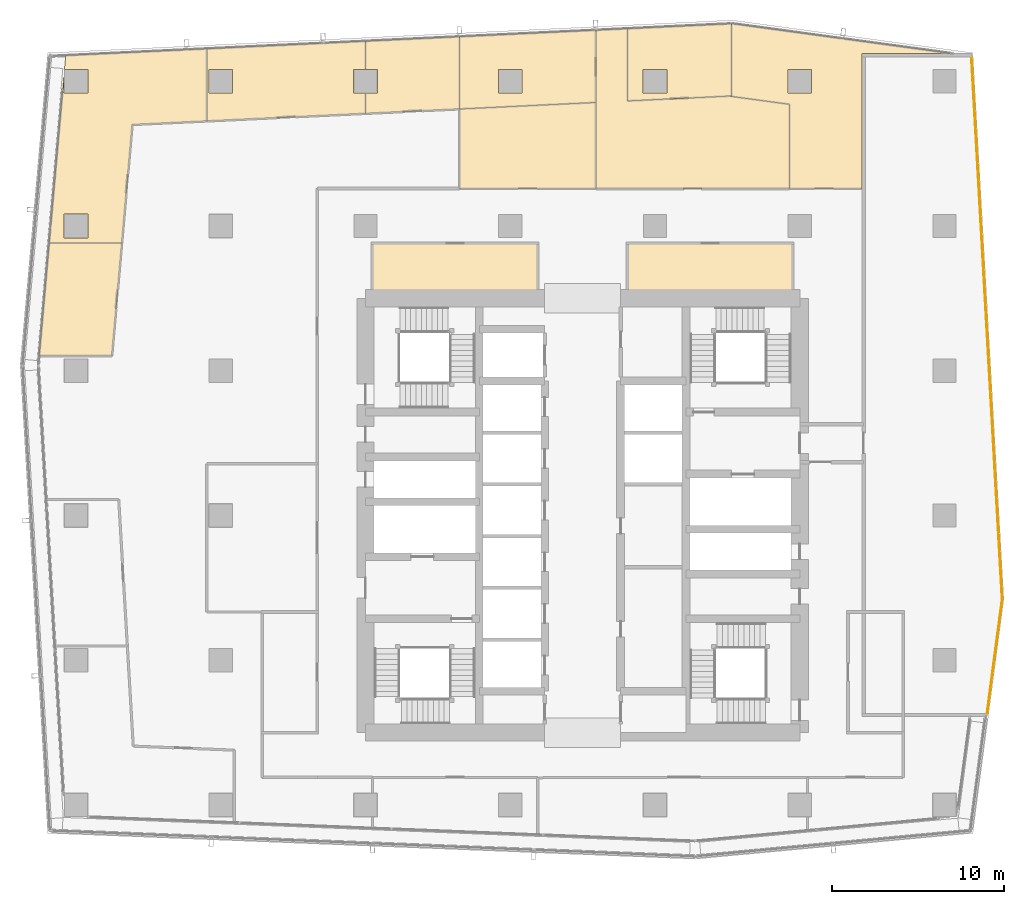
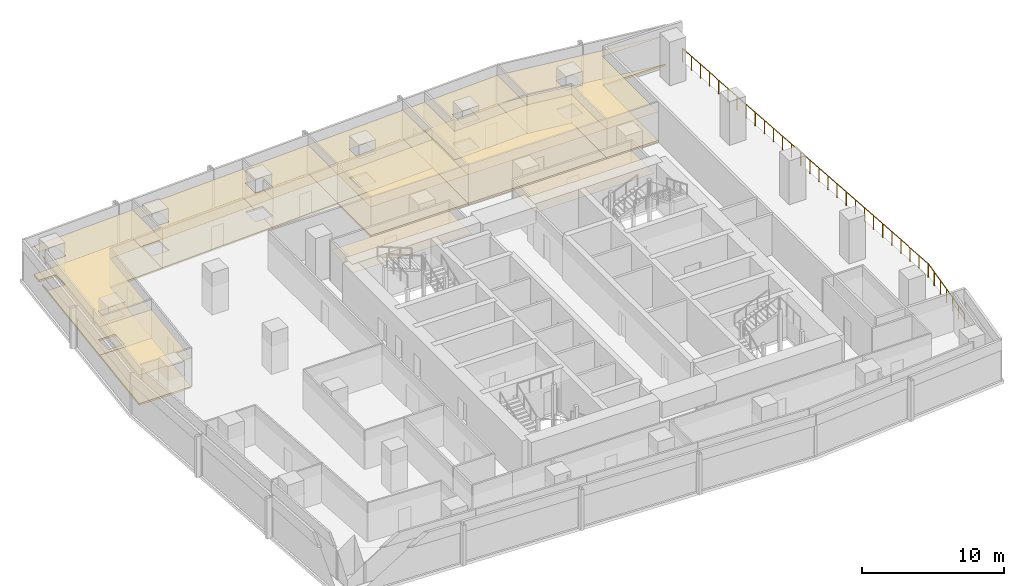
# One storey, part 33 of 33: 20 coverings, 1 railing.
"""IFC4 building model written with IfcOpenShell, lengths in metres."""

from ifc_helpers import new_model, si_unit, direction, frame, origin, origin_2d, place, context, subcontext, project, spatial, polyline, circle, outline, extrude, material, layer, layer_set, type_object, element, save


model = new_model("IFC4")

# Units and contexts
model_context = context("Model", 3, precision=1e-05, world=origin(), true_north=direction((0.0, 1.0)))
body_context = subcontext(model_context, "Body", "Model", "MODEL_VIEW")
ifc_project = project(units=[si_unit("LENGTHUNIT", "METRE"), si_unit("AREAUNIT", "SQUARE_METRE"), si_unit("VOLUMEUNIT", "CUBIC_METRE"), si_unit("PLANEANGLEUNIT", "RADIAN"), si_unit("MASSUNIT", "GRAM", prefix="KILO")], contexts=[model_context])

# Site, building, storey
site_placement = place(None, origin())
site = spatial("IfcSite", under=ifc_project, at=site_placement, CompositionType="ELEMENT")
building_placement = place(site_placement, origin())
building = spatial("IfcBuilding", under=site, at=building_placement, Name="Rekha Terrace Tower", CompositionType="ELEMENT")
storey_placement = place(building_placement, frame((0.0, 0.0, 206.449951171875)))
storey = spatial("IfcBuildingStorey", under=building, at=storey_placement, Name="L52", CompositionType="ELEMENT", Elevation=206.449951171875)

# Coverings
ifc_material_1 = material(Name="Mineral fibre tile in exposed grid", Category="finish")
ifc_layer_1 = layer(ifc_material_1, 0.02001953125)
ifc_layer_set_1 = layer_set([ifc_layer_1], Name="Mineral fibre tile in exposed grid")
covering_type_1 = type_object("IfcCoveringType", Name="CL1 600x1200 office grid ceiling", PredefinedType="CEILING", material=ifc_layer_set_1)
covering_1_placement = place(storey_placement, frame((0.0, 0.0, 2.580078125)))
element("IfcCovering", 1, at=covering_1_placement, inside=storey, type_object=covering_type_1, Name="Ceiling L52-03", PredefinedType="CEILING", context=body_context, shape_type="SweptSolid", body=[
    extrude(outline(polyline([(49.799072265625, 52.574951171875), (53.9990234375, 52.574951171875), (53.9990234375, 60.409912109375), (59.113037109375, 60.409912109375), (59.114013671875, 60.429931640625), (56.534912109375, 60.781005859375), (46.445068359375, 62.154052734375), (46.445068359375, 57.9150390625), (49.799072265625, 57.458984375), (49.799072265625, 52.574951171875)]), holes=[polyline([(51.090087890625, 58.110107421875), (49.7099609375, 58.110107421875), (49.7099609375, 59.489990234375), (51.090087890625, 59.489990234375), (51.090087890625, 58.110107421875)])]), origin(), (0.0, 0.0, 1.0), 0.02001953125),
])
covering_2_placement = place(storey_placement, frame((0.0, 0.0, 2.580078125)))
element("IfcCovering", 2, at=covering_2_placement, inside=storey, type_object=covering_type_1, Name="Ceiling L52-04", PredefinedType="CEILING", context=body_context, shape_type="SweptSolid", body=[
    extrude(outline(polyline([(46.444091796875, 62.14697265625), (40.402099609375, 61.85791015625), (40.402099609375, 57.654052734375), (46.444091796875, 57.943115234375), (46.444091796875, 62.14697265625)]), holes=[polyline([(42.68994140625, 59.489990234375), (42.68994140625, 58.110107421875), (41.31005859375, 58.110107421875), (41.31005859375, 59.489990234375), (42.68994140625, 59.489990234375)])]), origin(), (0.0, 0.0, 1.0), 0.02001953125),
])
covering_3_placement = place(storey_placement, frame((0.0, 0.0, 2.580078125)))
element("IfcCovering", 3, at=covering_3_placement, inside=storey, type_object=covering_type_1, Name="Ceiling L52-05", PredefinedType="CEILING", context=body_context, shape_type="SweptSolid", body=[
    extrude(outline(polyline([(25.889892578125, 58.110107421875), (25.197998046875, 58.110107421875), (25.197998046875, 56.927001953125), (30.660888671875, 57.18798828125), (30.660888671875, 61.39306640625), (25.197998046875, 61.132080078125), (25.197998046875, 59.489990234375), (25.889892578125, 59.489990234375), (25.889892578125, 58.110107421875)])), origin(), (0.0, 0.0, 1.0), 0.02001953125),
])
covering_4_placement = place(storey_placement, frame((0.0, 0.0, 2.580078125)))
element("IfcCovering", 4, at=covering_4_placement, inside=storey, type_object=covering_type_1, Name="Ceiling L52-06", PredefinedType="CEILING", context=body_context, shape_type="SweptSolid", body=[
    extrude(outline(polyline([(25.197021484375, 59.489990234375), (25.197021484375, 61.132080078125), (15.989990234375, 60.69091796875), (15.989990234375, 56.487060546875), (25.197021484375, 56.927001953125), (25.197021484375, 58.110107421875), (24.510009765625, 58.110107421875), (24.510009765625, 59.489990234375), (25.197021484375, 59.489990234375)]), holes=[polyline([(17.489990234375, 59.489990234375), (17.489990234375, 58.110107421875), (16.110107421875, 58.110107421875), (16.110107421875, 59.489990234375), (17.489990234375, 59.489990234375)])]), origin(), (0.0, 0.0, 1.0), 0.02001953125),
])
covering_5_placement = place(storey_placement, frame((0.0, 0.0, 2.580078125)))
element("IfcCovering", 5, at=covering_5_placement, inside=storey, type_object=covering_type_1, Name="Ceiling L52-07", PredefinedType="CEILING", context=body_context, shape_type="SweptSolid", body=[
    extrude(outline(polyline([(7.68701171875, 59.00390625), (6.839111328125, 49.402099609375), (11.054931640625, 49.402099609375), (11.662109375, 56.280029296875), (15.989013671875, 56.487060546875), (15.989013671875, 60.69091796875), (7.801025390625, 60.300048828125), (7.72900390625, 59.489990234375), (9.090087890625, 59.489990234375), (9.090087890625, 58.110107421875), (7.7099609375, 58.110107421875), (7.7099609375, 59.0029296875), (7.68701171875, 59.00390625)]), holes=[polyline([(9.090087890625, 49.7099609375), (7.7099609375, 49.7099609375), (7.7099609375, 51.090087890625), (9.090087890625, 51.090087890625), (9.090087890625, 49.7099609375)])]), origin(), (0.0, 0.0, 1.0), 0.02001953125),
])
covering_6_placement = place(storey_placement, frame((0.0, 0.0, 2.580078125)))
element("IfcCovering", 6, at=covering_6_placement, inside=storey, type_object=covering_type_1, Name="Ceiling L52-08", PredefinedType="CEILING", context=body_context, shape_type="SweptSolid", body=[
    extrude(outline(polyline([(11.054931640625, 49.40087890625), (6.839111328125, 49.40087890625), (6.261962890625, 42.87109375), (10.47900390625, 42.87109375), (11.054931640625, 49.40087890625)])), origin(), (0.0, 0.0, 1.0), 0.02001953125),
])
covering_7_placement = place(storey_placement, frame((0.0, 0.0, 2.580078125)))
element("IfcCovering", 7, at=covering_7_placement, inside=storey, type_object=covering_type_1, Name="Ceiling L52-O2c", PredefinedType="CEILING", context=body_context, shape_type="SweptSolid", body=[
    extrude(outline(polyline([(38.570068359375, 61.77099609375), (38.570068359375, 52.574951171875), (49.799072265625, 52.574951171875), (49.799072265625, 57.458984375), (46.444091796875, 57.9150390625), (46.294921875, 57.93505859375), (40.402099609375, 57.654052734375), (40.402099609375, 61.85791015625), (38.570068359375, 61.77099609375)])), origin(), (0.0, 0.0, 1.0), 0.02001953125),
])
covering_8_placement = place(storey_placement, frame((0.0, 0.0, 2.580078125)))
element("IfcCovering", 8, at=covering_8_placement, inside=storey, type_object=covering_type_1, Name="Ceiling L52-14", PredefinedType="CEILING", context=body_context, shape_type="SweptSolid", body=[
    extrude(outline(polyline([(30.660888671875, 57.18798828125), (38.570068359375, 57.56591796875), (38.570068359375, 61.77099609375), (30.660888671875, 61.39306640625), (30.660888671875, 57.18798828125)]), holes=[polyline([(34.2900390625, 58.110107421875), (32.909912109375, 58.110107421875), (32.909912109375, 59.489990234375), (34.2900390625, 59.489990234375), (34.2900390625, 58.110107421875)])]), origin(), (0.0, 0.0, 1.0), 0.02001953125),
])
covering_9_placement = place(storey_placement, frame((0.0, 0.0, 2.580078125)))
element("IfcCovering", 9, at=covering_9_placement, inside=storey, type_object=covering_type_1, Name="Ceiling L52-15", PredefinedType="CEILING", context=body_context, shape_type="SweptSolid", body=[
    extrude(outline(polyline([(30.660888671875, 52.574951171875), (38.570068359375, 52.574951171875), (38.570068359375, 57.56591796875), (30.660888671875, 57.18798828125), (30.660888671875, 52.574951171875)])), origin(), (0.0, 0.0, 1.0), 0.02001953125),
])
ifc_material_2 = material(Name="Fibre cement board", Category="finish")
ifc_layer_2 = layer(ifc_material_2, 0.014892578125)
ifc_layer_set_2 = layer_set([ifc_layer_2], Name="Fibre cement board")
covering_type_2 = type_object("IfcCoveringType", Name="CL2 moisture-resistant board ceiling", PredefinedType="CEILING", material=ifc_layer_set_2)
covering_10_placement = place(storey_placement, frame((0.0, 0.0, 2.5849609375)))
element("IfcCovering", 10, at=covering_10_placement, inside=storey, type_object=covering_type_2, Name="Ceiling L52-WCF", PredefinedType="CEILING", context=body_context, shape_type="SweptSolid", body=[
    extrude(outline(polyline([(50.0, 49.39990234375), (40.39990234375, 49.39990234375), (40.39990234375, 46.199951171875), (50.0, 46.199951171875), (50.0, 49.39990234375)])), origin(), (0.0, 0.0, 1.0), 0.01513671875),
])
covering_11_placement = place(storey_placement, frame((0.0, 0.0, 2.5849609375)))
element("IfcCovering", 11, at=covering_11_placement, inside=storey, type_object=covering_type_2, Name="Ceiling L52-WCF2", PredefinedType="CEILING", context=body_context, shape_type="SweptSolid", body=[
    extrude(outline(polyline([(35.199951171875, 49.39990234375), (25.60009765625, 49.39990234375), (25.60009765625, 46.199951171875), (35.199951171875, 46.199951171875), (35.199951171875, 49.39990234375)])), origin(), (0.0, 0.0, 1.0), 0.01513671875),
])

# Railing
ifc_material_3 = material(Name="Steel guard with vertical balusters", Category="steel")
railing_type = type_object("IfcRailingType", Name="GR2 refuge area guard 1200", PredefinedType="GUARDRAIL", material=ifc_material_3)
railing_placement = place(storey_placement, frame((61.27294921875, 22.1220703125, 0.0)))
element("IfcRailing", 12, at=railing_placement, inside=storey, type_object=railing_type, Name="Refuge area guard L52", PredefinedType="GUARDRAIL", context=body_context, shape_type="SweptSolid", body=[
    extrude(circle(Radius=0.02392578125, at=origin_2d()), frame((0.0, 0.0, 1.17578125), z_axis=(0.131287427246, 0.991344345547, 0.0), x_axis=(-0.991344345547, 0.131287427246, 0.0)), (0.0, 0.0, 1.0), 6.6796875),
    extrude(circle(Radius=0.02392578125, at=origin_2d()), frame((0.876953125, 6.621826171875, 1.17578125), z_axis=(-0.056666583532, 0.998393158185, 0.0), x_axis=(-0.998393158185, -0.056666583532, 0.0)), (0.0, 0.0, 1.0), 31.515625),
    extrude(circle(Radius=0.02099609375, at=origin_2d()), origin(), (0.0, 0.0, 1.0), 1.15185546875),
    extrude(circle(Radius=0.02099609375, at=origin_2d()), frame((0.146240234375, 1.103515625, 0.0)), (0.0, 0.0, 1.0), 1.15185546875),
    extrude(circle(Radius=0.02099609375, at=origin_2d()), frame((0.292236328125, 2.207275390625, 0.0)), (0.0, 0.0, 1.0), 1.15185546875),
    extrude(circle(Radius=0.02099609375, at=origin_2d()), frame((0.4384765625, 3.31103515625, 0.0)), (0.0, 0.0, 1.0), 1.15185546875),
    extrude(circle(Radius=0.02099609375, at=origin_2d()), frame((0.584716796875, 4.41455078125, 0.0)), (0.0, 0.0, 1.0), 1.15185546875),
    extrude(circle(Radius=0.02099609375, at=origin_2d()), frame((0.730712890625, 5.51806640625, 0.0)), (0.0, 0.0, 1.0), 1.15185546875),
    extrude(circle(Radius=0.02099609375, at=origin_2d()), frame((0.876953125, 6.621826171875, 0.0)), (0.0, 0.0, 1.0), 1.15185546875),
    extrude(circle(Radius=0.02099609375, at=origin_2d()), frame((0.810791015625, 7.787109375, 0.0)), (0.0, 0.0, 1.0), 1.15185546875),
    extrude(circle(Radius=0.02099609375, at=origin_2d()), frame((0.74462890625, 8.95263671875, 0.0)), (0.0, 0.0, 1.0), 1.15185546875),
    extrude(circle(Radius=0.02099609375, at=origin_2d()), frame((0.678466796875, 10.117919921875, 0.0)), (0.0, 0.0, 1.0), 1.15185546875),
    extrude(circle(Radius=0.02099609375, at=origin_2d()), frame((0.6123046875, 11.283203125, 0.0)), (0.0, 0.0, 1.0), 1.15185546875),
    extrude(circle(Radius=0.02099609375, at=origin_2d()), frame((0.546142578125, 12.44873046875, 0.0)), (0.0, 0.0, 1.0), 1.15185546875),
    extrude(circle(Radius=0.02099609375, at=origin_2d()), frame((0.47998046875, 13.614013671875, 0.0)), (0.0, 0.0, 1.0), 1.15185546875),
    extrude(circle(Radius=0.02099609375, at=origin_2d()), frame((0.4140625, 14.779541015625, 0.0)), (0.0, 0.0, 1.0), 1.15185546875),
    extrude(circle(Radius=0.02099609375, at=origin_2d()), frame((0.347900390625, 15.94482421875, 0.0)), (0.0, 0.0, 1.0), 1.15185546875),
    extrude(circle(Radius=0.02099609375, at=origin_2d()), frame((0.28173828125, 17.110107421875, 0.0)), (0.0, 0.0, 1.0), 1.15185546875),
    extrude(circle(Radius=0.02099609375, at=origin_2d()), frame((0.215576171875, 18.275634765625, 0.0)), (0.0, 0.0, 1.0), 1.15185546875),
    extrude(circle(Radius=0.02099609375, at=origin_2d()), frame((0.1494140625, 19.44091796875, 0.0)), (0.0, 0.0, 1.0), 1.15185546875),
    extrude(circle(Radius=0.02099609375, at=origin_2d()), frame((0.083251953125, 20.606201171875, 0.0)), (0.0, 0.0, 1.0), 1.15185546875),
    extrude(circle(Radius=0.02099609375, at=origin_2d()), frame((0.01708984375, 21.771728515625, 0.0)), (0.0, 0.0, 1.0), 1.15185546875),
    extrude(circle(Radius=0.02099609375, at=origin_2d()), frame((-0.049072265625, 22.93701171875, 0.0)), (0.0, 0.0, 1.0), 1.15185546875),
    extrude(circle(Radius=0.02099609375, at=origin_2d()), frame((-0.115234375, 24.1025390625, 0.0)), (0.0, 0.0, 1.0), 1.15185546875),
    extrude(circle(Radius=0.02099609375, at=origin_2d()), frame((-0.181396484375, 25.267822265625, 0.0)), (0.0, 0.0, 1.0), 1.15185546875),
    extrude(circle(Radius=0.02099609375, at=origin_2d()), frame((-0.24755859375, 26.43310546875, 0.0)), (0.0, 0.0, 1.0), 1.15185546875),
    extrude(circle(Radius=0.02099609375, at=origin_2d()), frame((-0.313720703125, 27.5986328125, 0.0)), (0.0, 0.0, 1.0), 1.15185546875),
    extrude(circle(Radius=0.02099609375, at=origin_2d()), frame((-0.3798828125, 28.763916015625, 0.0)), (0.0, 0.0, 1.0), 1.15185546875),
    extrude(circle(Radius=0.02099609375, at=origin_2d()), frame((-0.446044921875, 29.92919921875, 0.0)), (0.0, 0.0, 1.0), 1.15185546875),
    extrude(circle(Radius=0.02099609375, at=origin_2d()), frame((-0.511962890625, 31.0947265625, 0.0)), (0.0, 0.0, 1.0), 1.15185546875),
    extrude(circle(Radius=0.02099609375, at=origin_2d()), frame((-0.578125, 32.260009765625, 0.0)), (0.0, 0.0, 1.0), 1.15185546875),
    extrude(circle(Radius=0.02099609375, at=origin_2d()), frame((-0.644287109375, 33.425537109375, 0.0)), (0.0, 0.0, 1.0), 1.15185546875),
    extrude(circle(Radius=0.02099609375, at=origin_2d()), frame((-0.71044921875, 34.5908203125, 0.0)), (0.0, 0.0, 1.0), 1.15185546875),
    extrude(circle(Radius=0.02099609375, at=origin_2d()), frame((-0.776611328125, 35.756103515625, 0.0)), (0.0, 0.0, 1.0), 1.15185546875),
    extrude(circle(Radius=0.02099609375, at=origin_2d()), frame((-0.8427734375, 36.921630859375, 0.0)), (0.0, 0.0, 1.0), 1.15185546875),
    extrude(circle(Radius=0.02099609375, at=origin_2d()), frame((-0.908935546875, 38.0869140625, 0.0)), (0.0, 0.0, 1.0), 1.15185546875),
])

# Coverings
ifc_material_4 = material(Name="Calcium sulphate panels on steel pedestals", Category="steel")
ifc_layer_3 = layer(ifc_material_4, 0.14990234375)
ifc_layer_set_3 = layer_set([ifc_layer_3], Name="Calcium sulphate panels on steel pedestals")
covering_type_3 = type_object("IfcCoveringType", Name="RF1 150 raised access floor", PredefinedType="FLOORING", material=ifc_layer_set_3)
covering_12_placement = place(storey_placement, origin())
element("IfcCovering", 13, at=covering_12_placement, inside=storey, type_object=covering_type_3, Name="Raised floor L52-03", PredefinedType="FLOORING", context=body_context, shape_type="SweptSolid", body=[
    extrude(outline(polyline([(49.799072265625, 52.574951171875), (53.9990234375, 52.574951171875), (53.9990234375, 60.409912109375), (59.113037109375, 60.409912109375), (59.114013671875, 60.429931640625), (56.534912109375, 60.781005859375), (46.445068359375, 62.154052734375), (46.445068359375, 57.9150390625), (49.799072265625, 57.458984375), (49.799072265625, 52.574951171875)]), holes=[polyline([(51.090087890625, 58.110107421875), (49.7099609375, 58.110107421875), (49.7099609375, 59.489990234375), (51.090087890625, 59.489990234375), (51.090087890625, 58.110107421875)])]), origin(), (0.0, 0.0, 1.0), 0.150146484375),
])
covering_13_placement = place(storey_placement, origin())
element("IfcCovering", 14, at=covering_13_placement, inside=storey, type_object=covering_type_3, Name="Raised floor L52-04", PredefinedType="FLOORING", context=body_context, shape_type="SweptSolid", body=[
    extrude(outline(polyline([(46.444091796875, 62.14697265625), (40.402099609375, 61.85791015625), (40.402099609375, 57.654052734375), (46.444091796875, 57.943115234375), (46.444091796875, 62.14697265625)]), holes=[polyline([(42.68994140625, 59.489990234375), (42.68994140625, 58.110107421875), (41.31005859375, 58.110107421875), (41.31005859375, 59.489990234375), (42.68994140625, 59.489990234375)])]), origin(), (0.0, 0.0, 1.0), 0.150146484375),
])
covering_14_placement = place(storey_placement, origin())
element("IfcCovering", 15, at=covering_14_placement, inside=storey, type_object=covering_type_3, Name="Raised floor L52-05", PredefinedType="FLOORING", context=body_context, shape_type="SweptSolid", body=[
    extrude(outline(polyline([(25.889892578125, 58.110107421875), (25.197998046875, 58.110107421875), (25.197998046875, 56.927001953125), (30.660888671875, 57.18798828125), (30.660888671875, 61.39306640625), (25.197998046875, 61.132080078125), (25.197998046875, 59.489990234375), (25.889892578125, 59.489990234375), (25.889892578125, 58.110107421875)])), origin(), (0.0, 0.0, 1.0), 0.150146484375),
])
covering_15_placement = place(storey_placement, origin())
element("IfcCovering", 16, at=covering_15_placement, inside=storey, type_object=covering_type_3, Name="Raised floor L52-06", PredefinedType="FLOORING", context=body_context, shape_type="SweptSolid", body=[
    extrude(outline(polyline([(25.197021484375, 59.489990234375), (25.197021484375, 61.132080078125), (15.989990234375, 60.69091796875), (15.989990234375, 56.487060546875), (25.197021484375, 56.927001953125), (25.197021484375, 58.110107421875), (24.510009765625, 58.110107421875), (24.510009765625, 59.489990234375), (25.197021484375, 59.489990234375)]), holes=[polyline([(17.489990234375, 59.489990234375), (17.489990234375, 58.110107421875), (16.110107421875, 58.110107421875), (16.110107421875, 59.489990234375), (17.489990234375, 59.489990234375)])]), origin(), (0.0, 0.0, 1.0), 0.150146484375),
])
covering_16_placement = place(storey_placement, origin())
element("IfcCovering", 17, at=covering_16_placement, inside=storey, type_object=covering_type_3, Name="Raised floor L52-07", PredefinedType="FLOORING", context=body_context, shape_type="SweptSolid", body=[
    extrude(outline(polyline([(7.68701171875, 59.00390625), (6.839111328125, 49.402099609375), (11.054931640625, 49.402099609375), (11.662109375, 56.280029296875), (15.989013671875, 56.487060546875), (15.989013671875, 60.69091796875), (7.801025390625, 60.300048828125), (7.72900390625, 59.489990234375), (9.090087890625, 59.489990234375), (9.090087890625, 58.110107421875), (7.7099609375, 58.110107421875), (7.7099609375, 59.0029296875), (7.68701171875, 59.00390625)]), holes=[polyline([(9.090087890625, 49.7099609375), (7.7099609375, 49.7099609375), (7.7099609375, 51.090087890625), (9.090087890625, 51.090087890625), (9.090087890625, 49.7099609375)])]), origin(), (0.0, 0.0, 1.0), 0.150146484375),
])
covering_17_placement = place(storey_placement, origin())
element("IfcCovering", 18, at=covering_17_placement, inside=storey, type_object=covering_type_3, Name="Raised floor L52-08", PredefinedType="FLOORING", context=body_context, shape_type="SweptSolid", body=[
    extrude(outline(polyline([(11.054931640625, 49.40087890625), (6.839111328125, 49.40087890625), (6.261962890625, 42.87109375), (10.47900390625, 42.87109375), (11.054931640625, 49.40087890625)])), origin(), (0.0, 0.0, 1.0), 0.150146484375),
])
covering_18_placement = place(storey_placement, origin())
element("IfcCovering", 19, at=covering_18_placement, inside=storey, type_object=covering_type_3, Name="Raised floor L52-O2c", PredefinedType="FLOORING", context=body_context, shape_type="SweptSolid", body=[
    extrude(outline(polyline([(38.570068359375, 61.77099609375), (38.570068359375, 52.574951171875), (49.799072265625, 52.574951171875), (49.799072265625, 57.458984375), (46.444091796875, 57.9150390625), (46.294921875, 57.93505859375), (40.402099609375, 57.654052734375), (40.402099609375, 61.85791015625), (38.570068359375, 61.77099609375)])), origin(), (0.0, 0.0, 1.0), 0.150146484375),
])
covering_19_placement = place(storey_placement, origin())
element("IfcCovering", 20, at=covering_19_placement, inside=storey, type_object=covering_type_3, Name="Raised floor L52-14", PredefinedType="FLOORING", context=body_context, shape_type="SweptSolid", body=[
    extrude(outline(polyline([(30.660888671875, 57.18798828125), (38.570068359375, 57.56591796875), (38.570068359375, 61.77099609375), (30.660888671875, 61.39306640625), (30.660888671875, 57.18798828125)]), holes=[polyline([(34.2900390625, 58.110107421875), (32.909912109375, 58.110107421875), (32.909912109375, 59.489990234375), (34.2900390625, 59.489990234375), (34.2900390625, 58.110107421875)])]), origin(), (0.0, 0.0, 1.0), 0.150146484375),
])
covering_20_placement = place(storey_placement, origin())
element("IfcCovering", 21, at=covering_20_placement, inside=storey, type_object=covering_type_3, Name="Raised floor L52-15", PredefinedType="FLOORING", context=body_context, shape_type="SweptSolid", body=[
    extrude(outline(polyline([(30.660888671875, 52.574951171875), (38.570068359375, 52.574951171875), (38.570068359375, 57.56591796875), (30.660888671875, 57.18798828125), (30.660888671875, 52.574951171875)])), origin(), (0.0, 0.0, 1.0), 0.150146484375),
])

save(model, "model.ifc")
